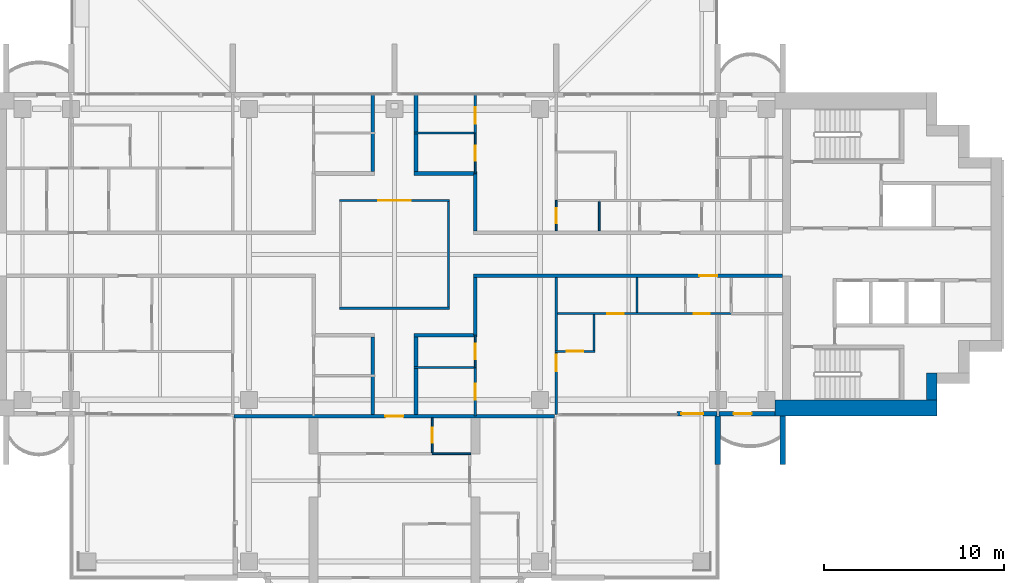
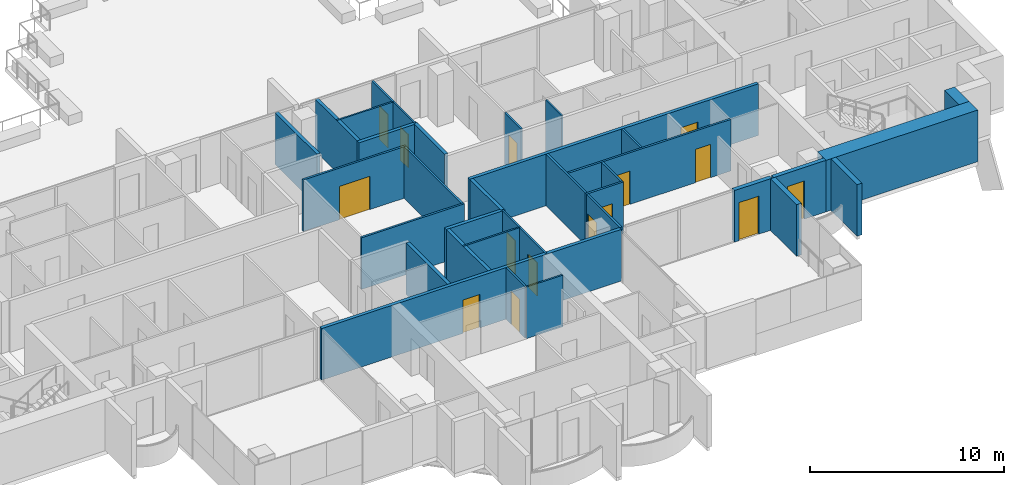
# One storey, part 11 of 18: 34 walls, 15 doors, 15 openings.
"""IFC4 building model written with IfcOpenShell, lengths in metres."""

import ifcopenshell
import ifcopenshell.guid

model = None  # the IFC model being written
_history = None  # IfcOwnerHistory: only IFC2X3 demands one
_inside = {}  # id of a spatial element -> (the spatial element, [elements in it])
_under = {}  # id of a project, library or spatial element -> (it, [spatial elements below it])
_declared = {}  # id of a project -> (the project, [libraries it declares])
_typed = {}  # id of a type object -> (the type object, [elements of that type])
_made_of = {}  # id of a material, layer set ... -> (it, [elements and type objects made of it])


def new_model(schema):
    """Start an empty IFC model of exactly this schema.

    Asked for "IFC4X3", IfcOpenShell would pick the latest addendum, in which some entities
    have other attributes; the version numbers below select the first issue.
    IFC2X3 requires an IfcOwnerHistory on every rooted entity: one is made here for all.
    """
    global model, _history
    if schema == "IFC4X3":
        model = ifcopenshell.file(schema_version=(4, 3, 0, 0))
    else:
        model = ifcopenshell.file(schema=schema)
    _inside.clear()
    _under.clear()
    _declared.clear()
    _typed.clear()
    _made_of.clear()
    _history = None
    if model.schema == "IFC2X3":
        org = make("IfcOrganization", Name="unknown")
        user = make(
            "IfcPersonAndOrganization",
            ThePerson=make("IfcPerson", FamilyName="unknown"),
            TheOrganization=org,
        )
        app = make(
            "IfcApplication",
            ApplicationDeveloper=org,
            Version="unknown",
            ApplicationFullName="unknown",
            ApplicationIdentifier="unknown",
        )
        _history = make(
            "IfcOwnerHistory",
            OwningUser=user,
            OwningApplication=app,
            ChangeAction="ADDED",
            CreationDate=0,
        )
    return model


def make(cls, **values):
    """One entity of the class cls with the attributes given. An attribute that is None is left unset."""
    return model.create_entity(
        cls, **{name: value for name, value in values.items() if value is not None}
    )


def rooted(cls, **values):
    """An entity with a GlobalId (a new one), such as an element, a storey or a relation."""
    return make(cls, GlobalId=ifcopenshell.guid.new(), OwnerHistory=_history, **values)


def si_unit(unit_type, name, prefix=None):
    """IfcSIUnit, for example si_unit("LENGTHUNIT", "METRE", prefix="MILLI")."""
    return make("IfcSIUnit", UnitType=unit_type, Prefix=prefix, Name=name)


def assignment(units):
    """IfcUnitAssignment: the units of a project."""
    return None if units is None else make("IfcUnitAssignment", Units=units)


def point(xyz):
    """IfcCartesianPoint."""
    return None if xyz is None else make("IfcCartesianPoint", Coordinates=xyz)


def direction(xyz):
    """IfcDirection."""
    return None if xyz is None else make("IfcDirection", DirectionRatios=xyz)


def frame(location, z_axis=None, x_axis=None):
    """IfcAxis2Placement3D, a coordinate frame: its origin and axes. An axis left out is left unset."""
    return make(
        "IfcAxis2Placement3D",
        Location=point(location),
        Axis=direction(z_axis),
        RefDirection=direction(x_axis),
    )


def frame_2d(location, x_axis=None):
    """IfcAxis2Placement2D, a coordinate frame in the plane: its origin and x axis."""
    return make(
        "IfcAxis2Placement2D", Location=point(location), RefDirection=direction(x_axis)
    )


def origin():
    """The frame at (0, 0, 0) with its axes left unset."""
    return frame((0.0, 0.0, 0.0))


def place(relative_to, where):
    """IfcLocalPlacement: puts the frame where relative to a parent placement (None: the world)."""
    return make(
        "IfcLocalPlacement", PlacementRelTo=relative_to, RelativePlacement=where
    )


def context(
    kind, dimensions, precision=None, world=None, true_north=None, identifier=None
):
    """IfcGeometricRepresentationContext, for example the 3D "Model" context."""
    return make(
        "IfcGeometricRepresentationContext",
        ContextIdentifier=identifier,
        ContextType=kind,
        CoordinateSpaceDimension=dimensions,
        Precision=precision,
        WorldCoordinateSystem=world,
        TrueNorth=true_north,
    )


def subcontext(parent, identifier, kind, view, scale=None):
    """IfcGeometricRepresentationSubContext, for example "Body" below "Model"."""
    return make(
        "IfcGeometricRepresentationSubContext",
        ContextIdentifier=identifier,
        ContextType=kind,
        ParentContext=parent,
        TargetScale=scale,
        TargetView=view,
    )


def project(units=None, contexts=None):
    """IfcProject with its units and contexts."""
    return rooted(
        "IfcProject",
        Name="project",
        RepresentationContexts=contexts,
        UnitsInContext=assignment(units),
    )


def spatial(cls, under=None, at=None, **own):
    """A site, building, storey or space (cls), placed at a placement, below another one or the project."""
    s = rooted(cls, ObjectPlacement=at, **own)
    if under is not None:
        _under.setdefault(under.id(), (under, []))[1].append(s)
    return s


def profile(cls, at=None, kind="AREA", **sizes):
    """A parametric profile (cls). Its sizes go by their IFC names, for example OverallWidth=200.0."""
    return make(cls, ProfileType=kind, Position=at, **sizes)


def rectangle(**sizes):
    """IfcRectangleProfileDef."""
    return profile("IfcRectangleProfileDef", **sizes)


def extrude(swept, where, along, depth):
    """IfcExtrudedAreaSolid: the profile swept, set in the frame where, extruded along a direction by depth."""
    return make(
        "IfcExtrudedAreaSolid",
        SweptArea=swept,
        Position=where,
        ExtrudedDirection=direction(along),
        Depth=depth,
    )


def shape(context_of_items, identifier, shape_type, items):
    """IfcShapeRepresentation: the items that make up one representation, for example the "Body"."""
    return make(
        "IfcShapeRepresentation",
        ContextOfItems=context_of_items,
        RepresentationIdentifier=identifier,
        RepresentationType=shape_type,
        Items=items,
    )


def material(Name=None, Category=None):
    """IfcMaterial."""
    return make("IfcMaterial", Name=Name, Category=Category)


def layer(
    of_material, thickness, ventilated=None, Name=None, Category=None, Priority=None
):
    """IfcMaterialLayer: one layer of a wall or slab, of a material (None: an air gap)."""
    return make(
        "IfcMaterialLayer",
        Material=of_material,
        LayerThickness=thickness,
        IsVentilated=ventilated,
        Name=Name,
        Category=Category,
        Priority=Priority,
    )


def layer_set(layers, Name=None):
    """IfcMaterialLayerSet."""
    return make("IfcMaterialLayerSet", MaterialLayers=layers, LayerSetName=Name)


def made_of(thing, what):
    """Note that an element or type object is made of a material, layer set ...; save() writes the relation."""
    if what is not None:
        _made_of.setdefault(what.id(), (what, []))[1].append(thing)
    return thing


def type_object(cls, material=None, **own):
    """A type object (cls), such as IfcWallType, which elements share."""
    return made_of(rooted(cls, **own), material)


def element(
    cls,
    number,
    at=None,
    inside=None,
    cuts=None,
    type_object=None,
    material=None,
    context=None,
    identifier="Body",
    shape_type=None,
    held_by="IfcProductDefinitionShape",
    body=None,
    shapes=None,
    **own,
):
    """One element of the class cls, such as IfcWall. Its Tag is "e" and its number.

    at: its placement. inside: the storey or other place that contains it. cuts: it is an
    opening in that element (IfcRelVoidsElement). A single representation is given by context,
    identifier, shape_type and body (its items); several are given by shapes. held_by: the class
    of the entity that holds the representations. save() writes the other relations.
    """
    e = rooted(cls, Tag="e%d" % number, ObjectPlacement=at, **own)
    if body is not None:
        shapes = [shape(context, identifier, shape_type, body)]
    if shapes is not None:
        e.Representation = make(held_by, Representations=shapes)
    if inside is not None:
        _inside.setdefault(inside.id(), (inside, []))[1].append(e)
    if cuts is not None:
        rooted(
            "IfcRelVoidsElement", RelatingBuildingElement=cuts, RelatedOpeningElement=e
        )
    if type_object is not None:
        _typed.setdefault(type_object.id(), (type_object, []))[1].append(e)
    return made_of(e, material)


def fill(opening, filler):
    """IfcRelFillsElement: the door or window that sits in an opening."""
    return rooted(
        "IfcRelFillsElement",
        RelatingOpeningElement=opening,
        RelatedBuildingElement=filler,
    )


def aggregate(whole, parts):
    """IfcRelAggregates: a whole, such as a stair, and the parts it consists of."""
    return rooted("IfcRelAggregates", RelatingObject=whole, RelatedObjects=parts)


def save(model, path):
    """Write the relations noted so far, then the file.

    IfcRelAggregates (storeys below a building ...), IfcRelContainedInSpatialStructure (elements
    in a storey), IfcRelDefinesByType, IfcRelAssociatesMaterial and IfcRelDeclares: one each for
    every whole, place, type object, material and project.
    """
    for whole, parts in _under.values():
        aggregate(whole, parts)
    for where, things in _inside.values():
        rooted(
            "IfcRelContainedInSpatialStructure",
            RelatedElements=things,
            RelatingStructure=where,
        )
    for kind, things in _typed.values():
        rooted("IfcRelDefinesByType", RelatedObjects=things, RelatingType=kind)
    for what, things in _made_of.values():
        rooted("IfcRelAssociatesMaterial", RelatedObjects=things, RelatingMaterial=what)
    for by, libraries in _declared.values():
        rooted("IfcRelDeclares", RelatingContext=by, RelatedDefinitions=libraries)
    model.write(path)


model = new_model("IFC4")

# Units and contexts
model_context = context("Model", 3, precision=1e-05, world=origin(), true_north=direction((0.0, 1.0)))
body_context = subcontext(model_context, "Body", "Model", "MODEL_VIEW")
ifc_project = project(units=[si_unit("LENGTHUNIT", "METRE"), si_unit("AREAUNIT", "SQUARE_METRE"), si_unit("VOLUMEUNIT", "CUBIC_METRE"), si_unit("PLANEANGLEUNIT", "RADIAN"), si_unit("MASSUNIT", "GRAM", prefix="KILO")], contexts=[model_context])

# Site, building, storey
site_placement = place(None, origin())
site = spatial("IfcSite", under=ifc_project, at=site_placement, CompositionType="ELEMENT")
building_placement = place(site_placement, origin())
building = spatial("IfcBuilding", under=site, at=building_placement, Name="Perihelion Cross Residences", CompositionType="ELEMENT")
storey_placement = place(building_placement, frame((0.0, 0.0, 166.60009765625)))
storey = spatial("IfcBuildingStorey", under=building, at=storey_placement, Name="L40", CompositionType="ELEMENT", Elevation=166.60009765625)

# Walls
ifc_material_1 = material(Name="Plasterboard partition")
ifc_layer_1 = layer(ifc_material_1, 0.199951171875)
ifc_layer_set_1 = layer_set([ifc_layer_1], Name="Apartment separation wall 200")
wall_type_1 = type_object("IfcWallType", Name="Apartment separation wall 200", PredefinedType="PARTITIONING", material=ifc_layer_set_1)
wall_1_placement = place(storey_placement, frame((4.5, 4.5, 0.0), z_axis=(0.0, 0.0, 1.0), x_axis=(0.0, -1.0, 0.0)))
element("IfcWall", 1, at=wall_1_placement, inside=storey, type_object=wall_type_1, Name="Partition L40 W006", PredefinedType="PARTITIONING", context=body_context, shape_type="SweptSolid", body=[
    extrude(rectangle(XDim=3.199951171875, YDim=0.199951171875, at=frame_2d((1.60009765625, 0.0))), origin(), (0.0, 0.0, 1.0), 3.25),
])
wall_2_placement = place(storey_placement, frame((1.199951171875, 8.919921875, 0.0), z_axis=(0.0, 0.0, 1.0), x_axis=(0.0, -1.0, 0.0)))
element("IfcWall", 2, at=wall_2_placement, inside=storey, type_object=wall_type_1, Name="Partition L40 W007", PredefinedType="PARTITIONING", context=body_context, shape_type="SweptSolid", body=[
    extrude(rectangle(XDim=4.31982421875, YDim=0.199951171875, at=frame_2d((2.159912109375, 0.0))), origin(), (0.0, 0.0, 1.0), 3.25),
])
wall_3_placement = place(storey_placement, frame((1.10009765625, 4.5, 0.0), z_axis=(0.0, 0.0, 1.0), x_axis=(1.0, 0.0, 0.0)))
element("IfcWall", 3, at=wall_3_placement, inside=storey, type_object=wall_type_1, Name="Partition L40 W008", PredefinedType="PARTITIONING", context=body_context, shape_type="SweptSolid", body=[
    extrude(rectangle(XDim=3.5, YDim=0.199951171875, at=frame_2d((1.75, 0.0))), origin(), (0.0, 0.0, 1.0), 3.25),
])

# Wall, opening, door
wall_4_placement = place(storey_placement, frame((21.60009765625, -1.199951171875, 0.0), z_axis=(0.0, 0.0, 1.0), x_axis=(-1.0, 0.0, 0.0)))
wall_4 = element("IfcWall", 4, at=wall_4_placement, inside=storey, type_object=wall_type_1, Name="Partition L40 W009", PredefinedType="PARTITIONING", context=body_context, shape_type="SweptSolid", body=[
    extrude(rectangle(XDim=17.2001953125, YDim=0.199951171875, at=frame_2d((8.60009765625, 0.0))), origin(), (0.0, 0.0, 1.0), 3.25),
])
opening_1_placement = place(wall_4_placement, frame((3.625, 0.0, 0.0)))
opening_1 = element("IfcOpeningElement", 5, at=opening_1_placement, cuts=wall_4, Name="Opening L40.A46", PredefinedType="OPENING", context=body_context, shape_type="SweptSolid", body=[
    extrude(rectangle(XDim=1.0, YDim=2.10009765625, at=frame_2d((0.5, 1.050048828125))), frame((0.0, 0.10986328125, 0.0), z_axis=(0.0, -1.0, 0.0), x_axis=(1.0, 0.0, 0.0)), (0.0, 0.0, 1.0), 0.219970703125),
])
ifc_material_2 = material(Name="Timber door leaf", Category="wood")
door_type_1 = type_object("IfcDoorType", Name="Flat entrance door 1000 x 2100", OperationType="SINGLE_SWING_LEFT", PredefinedType="DOOR", material=ifc_material_2)
door_1_placement = place(opening_1_placement, origin())
door_1 = element("IfcDoor", 6, at=door_1_placement, inside=storey, type_object=door_type_1, Name="Door L40.A46", OperationType="SINGLE_SWING_RIGHT", OverallHeight=2.10009765625, OverallWidth=1.0, PredefinedType="DOOR", context=body_context, shape_type="SweptSolid", body=[
    extrude(rectangle(XDim=1.0, YDim=2.10009765625, at=frame_2d((0.5, 1.050048828125))), frame((0.0, 0.02490234375, 0.0), z_axis=(0.0, -1.0, 0.0), x_axis=(1.0, 0.0, 0.0)), (0.0, 0.0, 1.0), 0.050048828125),
])
fill(opening_1, door_1)

# Walls
wall_5_placement = place(storey_placement, frame((4.5, -1.300048828125, 0.0), z_axis=(0.0, 0.0, 1.0), x_axis=(0.0, -1.0, 0.0)))
element("IfcWall", 7, at=wall_5_placement, inside=storey, type_object=wall_type_1, Name="Partition L40 W010", PredefinedType="PARTITIONING", context=body_context, shape_type="SweptSolid", body=[
    extrude(rectangle(XDim=3.199951171875, YDim=0.199951171875, at=frame_2d((1.60009765625, 0.0))), origin(), (0.0, 0.0, 1.0), 3.25),
])
wall_6_placement = place(storey_placement, frame((4.60009765625, -4.5, 0.0), z_axis=(0.0, 0.0, 1.0), x_axis=(-1.0, 0.0, 0.0)))
element("IfcWall", 8, at=wall_6_placement, inside=storey, type_object=wall_type_1, Name="Partition L40 W011", PredefinedType="PARTITIONING", context=body_context, shape_type="SweptSolid", body=[
    extrude(rectangle(XDim=3.5, YDim=0.199951171875, at=frame_2d((1.75, 0.0))), origin(), (0.0, 0.0, 1.0), 3.25),
])
wall_7_placement = place(storey_placement, frame((1.199951171875, -4.60009765625, 0.0), z_axis=(0.0, 0.0, 1.0), x_axis=(0.0, -1.0, 0.0)))
element("IfcWall", 9, at=wall_7_placement, inside=storey, type_object=wall_type_1, Name="Partition L40 W012", PredefinedType="PARTITIONING", context=body_context, shape_type="SweptSolid", body=[
    extrude(rectangle(XDim=4.2998046875, YDim=0.199951171875, at=frame_2d((2.14990234375, 0.0))), origin(), (0.0, 0.0, 1.0), 3.25),
])
wall_8_placement = place(storey_placement, frame((-1.199951171875, 4.60009765625, 0.0), z_axis=(0.0, 0.0, 1.0), x_axis=(0.0, 1.0, 0.0)))
element("IfcWall", 10, at=wall_8_placement, inside=storey, type_object=wall_type_1, Name="Partition L40 W016", PredefinedType="PARTITIONING", context=body_context, shape_type="SweptSolid", body=[
    extrude(rectangle(XDim=4.31982421875, YDim=0.199951171875, at=frame_2d((2.159912109375, 0.0))), origin(), (0.0, 0.0, 1.0), 3.25),
])
wall_9_placement = place(storey_placement, frame((-1.199951171875, -8.89990234375, 0.0), z_axis=(0.0, 0.0, 1.0), x_axis=(0.0, 1.0, 0.0)))
element("IfcWall", 11, at=wall_9_placement, inside=storey, type_object=wall_type_1, Name="Partition L40 W019", PredefinedType="PARTITIONING", context=body_context, shape_type="SweptSolid", body=[
    extrude(rectangle(XDim=4.2998046875, YDim=0.199951171875, at=frame_2d((2.14990234375, 0.0))), origin(), (0.0, 0.0, 1.0), 3.25),
])

# Wall, opening, door
wall_10_placement = place(storey_placement, frame((8.919921875, -9.0, 0.0), z_axis=(0.0, 0.0, 1.0), x_axis=(-1.0, 0.0, 0.0)))
wall_10 = element("IfcWall", 12, at=wall_10_placement, inside=storey, type_object=wall_type_1, Name="Partition L40 W021", PredefinedType="PARTITIONING", context=body_context, shape_type="SweptSolid", body=[
    extrude(rectangle(XDim=17.83984375, YDim=0.199951171875, at=frame_2d((8.919921875, 0.0))), origin(), (0.0, 0.0, 1.0), 3.25),
])
opening_2_placement = place(wall_10_placement, frame((8.419921875, 0.0, 0.0)))
opening_2 = element("IfcOpeningElement", 13, at=opening_2_placement, cuts=wall_10, Name="Opening L40.A39", PredefinedType="OPENING", context=body_context, shape_type="SweptSolid", body=[
    extrude(rectangle(XDim=1.0, YDim=2.10009765625, at=frame_2d((0.5, 1.050048828125))), frame((0.0, 0.10986328125, 0.0), z_axis=(0.0, -1.0, 0.0), x_axis=(1.0, 0.0, 0.0)), (0.0, 0.0, 1.0), 0.219970703125),
])
door_2_placement = place(opening_2_placement, origin())
door_2 = element("IfcDoor", 14, at=door_2_placement, inside=storey, type_object=door_type_1, Name="Door L40.A39", OperationType="SINGLE_SWING_LEFT", OverallHeight=2.10009765625, OverallWidth=1.0, PredefinedType="DOOR", context=body_context, shape_type="SweptSolid", body=[
    extrude(rectangle(XDim=1.0, YDim=2.10009765625, at=frame_2d((0.5, 1.050048828125))), frame((0.0, 0.02490234375, 0.0), z_axis=(0.0, -1.0, 0.0), x_axis=(1.0, 0.0, 0.0)), (0.0, 0.0, 1.0), 0.050048828125),
])
fill(opening_2, door_2)

ifc_material_3 = material(Name="Concrete C30/37, bronze-clad", Category="concrete")
ifc_layer_2 = layer(ifc_material_3, 0.25)
ifc_layer_set_2 = layer_set([ifc_layer_2], Name="Bronze-clad pier wall 250")
wall_type_2 = type_object("IfcWallType", Name="Bronze-clad pier wall 250", PredefinedType="SOLIDWALL", material=ifc_layer_set_2)
wall_11_placement = place(storey_placement, frame((15.72509765625, -8.875, 0.0), z_axis=(0.0, 0.0, 1.0), x_axis=(1.0, 0.0, 0.0)))
wall_11 = element("IfcWall", 15, at=wall_11_placement, inside=storey, type_object=wall_type_2, Name="Wall FW1 L40 east side south bay 1 pier", PredefinedType="SOLIDWALL", context=body_context, shape_type="SweptSolid", body=[
    extrude(rectangle(XDim=2.21484375, YDim=0.25, at=frame_2d((1.107421875, 0.0))), origin(), (0.0, 0.0, 1.0), 3.25),
])
opening_3_placement = place(wall_11_placement, frame((0.25, 0.0, 0.0)))
opening_3 = element("IfcOpeningElement", 16, at=opening_3_placement, cuts=wall_11, Name="Opening L40.E13", PredefinedType="OPENING", context=body_context, shape_type="SweptSolid", body=[
    extrude(rectangle(XDim=1.199951171875, YDim=2.39990234375, at=frame_2d((0.60009765625, 1.199951171875))), frame((0.0, 0.135009765625, 0.0), z_axis=(0.0, -1.0, 0.0), x_axis=(1.0, 0.0, 0.0)), (0.0, 0.0, 1.0), 0.27001953125),
])
ifc_material_4 = material(Name="Bronze anodised aluminium, glazed", Category="aluminium")
door_type_2 = type_object("IfcDoorType", Name="Balcony door 1200 x 2400", OperationType="NOTDEFINED", PredefinedType="DOOR", material=ifc_material_4)
door_3_placement = place(opening_3_placement, origin())
door_3 = element("IfcDoor", 17, at=door_3_placement, inside=storey, type_object=door_type_2, Name="Door L40.E13 east side south bay 1", OperationType="SINGLE_SWING_LEFT", OverallHeight=2.39990234375, OverallWidth=1.199951171875, PredefinedType="DOOR", context=body_context, shape_type="SweptSolid", body=[
    extrude(rectangle(XDim=1.199951171875, YDim=2.39990234375, at=frame_2d((0.60009765625, 1.199951171875))), frame((0.0, 0.02490234375, 0.0), z_axis=(0.0, -1.0, 0.0), x_axis=(1.0, 0.0, 0.0)), (0.0, 0.0, 1.0), 0.050048828125),
])
fill(opening_3, door_3)

wall_12_placement = place(storey_placement, frame((18.06005859375, -8.875, 0.0), z_axis=(0.0, 0.0, 1.0), x_axis=(1.0, 0.0, 0.0)))
wall_12 = element("IfcWall", 18, at=wall_12_placement, inside=storey, type_object=wall_type_2, Name="Wall FW1 L40 east side south bay 2 pier", PredefinedType="SOLIDWALL", context=body_context, shape_type="SweptSolid", body=[
    extrude(rectangle(XDim=3.114990234375, YDim=0.25, at=frame_2d((1.5576171875, 0.0))), origin(), (0.0, 0.0, 1.0), 3.25),
])
opening_4_placement = place(wall_12_placement, frame((0.81494140625, 0.0, 0.0)))
opening_4 = element("IfcOpeningElement", 19, at=opening_4_placement, cuts=wall_12, Name="Opening L40.E14", PredefinedType="OPENING", context=body_context, shape_type="SweptSolid", body=[
    extrude(rectangle(XDim=1.0, YDim=2.39990234375, at=frame_2d((0.5, 1.199951171875))), frame((0.0, 0.135009765625, 0.0), z_axis=(0.0, -1.0, 0.0), x_axis=(1.0, 0.0, 0.0)), (0.0, 0.0, 1.0), 0.27001953125),
])
ifc_material_5 = material(Name="Bronze anodised aluminium, glazed", Category="aluminium")
door_type_3 = type_object("IfcDoorType", Name="Balcony door 1000 x 2400", OperationType="NOTDEFINED", PredefinedType="DOOR", material=ifc_material_5)
door_4_placement = place(opening_4_placement, origin())
door_4 = element("IfcDoor", 20, at=door_4_placement, inside=storey, type_object=door_type_3, Name="Door L40.E14 east side south bay 2", OperationType="SINGLE_SWING_RIGHT", OverallHeight=2.39990234375, OverallWidth=1.0, PredefinedType="DOOR", context=body_context, shape_type="SweptSolid", body=[
    extrude(rectangle(XDim=1.0, YDim=2.39990234375, at=frame_2d((0.5, 1.199951171875))), frame((0.0, 0.02490234375, 0.0), z_axis=(0.0, -1.0, 0.0), x_axis=(1.0, 0.0, 0.0)), (0.0, 0.0, 1.0), 0.050048828125),
])
fill(opening_4, door_4)

# Walls
ifc_material_6 = material(Name="Concrete C60/75", Category="concrete")
ifc_layer_3 = layer(ifc_material_6, 0.60009765625)
ifc_layer_set_3 = layer_set([ifc_layer_3], Name="Core wall, outer 600")
wall_type_3 = type_object("IfcWallType", Name="Core wall, outer 600", PredefinedType="SHEAR", material=ifc_layer_set_3)
wall_13_placement = place(storey_placement, frame((29.89990234375, -8.10009765625, 0.0), z_axis=(0.0, 0.0, 1.0), x_axis=(0.0, 1.0, 0.0)))
element("IfcWall", 21, at=wall_13_placement, inside=storey, type_object=wall_type_3, Name="East core core wall, outer", PredefinedType="SHEAR", context=body_context, shape_type="SweptSolid", body=[
    extrude(rectangle(XDim=1.5, YDim=0.60009765625, at=frame_2d((0.75, 0.0))), origin(), (0.0, 0.0, 1.0), 3.25),
])
ifc_material_7 = material(Name="Concrete C60/75", Category="concrete")
ifc_layer_4 = layer(ifc_material_7, 0.89990234375)
ifc_layer_set_4 = layer_set([ifc_layer_4], Name="Core wall, outer 900")
wall_type_4 = type_object("IfcWallType", Name="Core wall, outer 900", PredefinedType="SHEAR", material=ifc_layer_set_4)
wall_14_placement = place(storey_placement, frame((21.175048828125, -8.550048828125, 0.0), z_axis=(0.0, 0.0, 1.0), x_axis=(1.0, 0.0, 0.0)))
element("IfcWall", 22, at=wall_14_placement, inside=storey, type_object=wall_type_4, Name="East core core wall, outer", PredefinedType="SHEAR", context=body_context, shape_type="SweptSolid", body=[
    extrude(rectangle(XDim=9.02490234375, YDim=0.89990234375, at=frame_2d((4.512451171875, 0.0))), origin(), (0.0, 0.0, 1.0), 3.25),
])
ifc_material_8 = material(Name="Plasterboard partition")
ifc_layer_5 = layer(ifc_material_8, 0.1201171875)
ifc_layer_set_5 = layer_set([ifc_layer_5], Name="Partition wall 120")
wall_type_5 = type_object("IfcWallType", Name="Partition wall 120", PredefinedType="PARTITIONING", material=ifc_layer_set_5)
wall_15_placement = place(storey_placement, frame((-3.06005859375, -3.0, 0.0), z_axis=(0.0, 0.0, 1.0), x_axis=(1.0, 0.0, 0.0)))
element("IfcWall", 23, at=wall_15_placement, inside=storey, type_object=wall_type_5, Name="Partition L40 W001", PredefinedType="PARTITIONING", context=body_context, shape_type="SweptSolid", body=[
    extrude(rectangle(XDim=6.1201171875, YDim=0.1201171875, at=frame_2d((3.06005859375, 0.0))), origin(), (0.0, 0.0, 1.0), 3.25),
])
wall_16_placement = place(storey_placement, frame((3.0, -2.93994140625, 0.0), z_axis=(0.0, 0.0, 1.0), x_axis=(0.0, 1.0, 0.0)))
element("IfcWall", 24, at=wall_16_placement, inside=storey, type_object=wall_type_5, Name="Partition L40 W002", PredefinedType="PARTITIONING", context=body_context, shape_type="SweptSolid", body=[
    extrude(rectangle(XDim=5.8798828125, YDim=0.1201171875, at=frame_2d((2.93994140625, 0.0))), origin(), (0.0, 0.0, 1.0), 3.25),
])

# Wall, opening, door
wall_17_placement = place(storey_placement, frame((3.06005859375, 3.0, 0.0), z_axis=(0.0, 0.0, 1.0), x_axis=(-1.0, 0.0, 0.0)))
wall_17 = element("IfcWall", 25, at=wall_17_placement, inside=storey, type_object=wall_type_5, Name="Partition L40 W003", PredefinedType="PARTITIONING", context=body_context, shape_type="SweptSolid", body=[
    extrude(rectangle(XDim=6.1201171875, YDim=0.1201171875, at=frame_2d((3.06005859375, 0.0))), origin(), (0.0, 0.0, 1.0), 3.25),
])
opening_5_placement = place(wall_17_placement, frame((2.159912109375, 0.0, 0.0)))
opening_5 = element("IfcOpeningElement", 26, at=opening_5_placement, cuts=wall_17, Name="Opening L40.A01", PredefinedType="OPENING", context=body_context, shape_type="SweptSolid", body=[
    extrude(rectangle(XDim=1.800048828125, YDim=2.10009765625, at=frame_2d((0.89990234375, 1.050048828125))), frame((0.0, 0.070068359375, 0.0), z_axis=(0.0, -1.0, 0.0), x_axis=(1.0, 0.0, 0.0)), (0.0, 0.0, 1.0), 0.14013671875),
])
ifc_material_9 = material(Name="Glazed timber door leaf", Category="wood")
door_type_4 = type_object("IfcDoorType", Name="Interior double leaf door 1800 x 2100", OperationType="DOUBLE_DOOR_SINGLE_SWING", PredefinedType="DOOR", material=ifc_material_9)
door_5_placement = place(opening_5_placement, origin())
door_5 = element("IfcDoor", 27, at=door_5_placement, inside=storey, type_object=door_type_4, Name="Door L40.A01", OperationType="SINGLE_SWING_LEFT", OverallHeight=2.10009765625, OverallWidth=1.800048828125, PredefinedType="DOOR", context=body_context, shape_type="SweptSolid", body=[
    extrude(rectangle(XDim=1.800048828125, YDim=2.10009765625, at=frame_2d((0.89990234375, 1.050048828125))), frame((0.0, 0.02490234375, 0.0), z_axis=(0.0, -1.0, 0.0), x_axis=(1.0, 0.0, 0.0)), (0.0, 0.0, 1.0), 0.050048828125),
])
fill(opening_5, door_5)

wall_18_placement = place(storey_placement, frame((4.5, 6.75, 0.0), z_axis=(0.0, 0.0, 1.0), x_axis=(0.0, 1.0, 0.0)))
wall_18 = element("IfcWall", 28, at=wall_18_placement, inside=storey, type_object=wall_type_5, Name="Partition L40 W037", PredefinedType="PARTITIONING", context=body_context, shape_type="SweptSolid", body=[
    extrude(rectangle(XDim=2.169921875, YDim=0.1201171875, at=frame_2d((1.0849609375, 0.0))), origin(), (0.0, 0.0, 1.0), 3.25),
])
opening_6_placement = place(wall_18_placement, frame((0.52490234375, 0.0, 0.0)))
opening_6 = element("IfcOpeningElement", 29, at=opening_6_placement, cuts=wall_18, Name="Opening L40.A06", PredefinedType="OPENING", context=body_context, shape_type="SweptSolid", body=[
    extrude(rectangle(XDim=0.89990234375, YDim=2.10009765625, at=frame_2d((0.449951171875, 1.050048828125))), frame((0.0, 0.070068359375, 0.0), z_axis=(0.0, -1.0, 0.0), x_axis=(1.0, 0.0, 0.0)), (0.0, 0.0, 1.0), 0.14013671875),
])
ifc_material_10 = material(Name="Timber door leaf", Category="wood")
door_type_5 = type_object("IfcDoorType", Name="Interior room door 900 x 2100", OperationType="SINGLE_SWING_LEFT", PredefinedType="DOOR", material=ifc_material_10)
door_6_placement = place(opening_6_placement, origin())
door_6 = element("IfcDoor", 30, at=door_6_placement, inside=storey, type_object=door_type_5, Name="Door L40.A06", OperationType="SINGLE_SWING_RIGHT", OverallHeight=2.10009765625, OverallWidth=0.89990234375, PredefinedType="DOOR", context=body_context, shape_type="SweptSolid", body=[
    extrude(rectangle(XDim=0.89990234375, YDim=2.10009765625, at=frame_2d((0.449951171875, 1.050048828125))), frame((0.0, 0.02490234375, 0.0), z_axis=(0.0, -1.0, 0.0), x_axis=(1.0, 0.0, 0.0)), (0.0, 0.0, 1.0), 0.050048828125),
])
fill(opening_6, door_6)

# Wall
wall_19_placement = place(storey_placement, frame((13.5, -1.300048828125, 0.0), z_axis=(0.0, 0.0, 1.0), x_axis=(0.0, -1.0, 0.0)))
element("IfcWall", 31, at=wall_19_placement, inside=storey, type_object=wall_type_5, Name="Partition L40 W039", PredefinedType="PARTITIONING", context=body_context, shape_type="SweptSolid", body=[
    extrude(rectangle(XDim=1.93994140625, YDim=0.1201171875, at=frame_2d((0.969970703125, 0.0))), origin(), (0.0, 0.0, 1.0), 3.25),
])

# Wall, openings, doors
wall_20_placement = place(storey_placement, frame((18.75, -3.300048828125, 0.0), z_axis=(0.0, 0.0, 1.0), x_axis=(-1.0, 0.0, 0.0)))
wall_20 = element("IfcWall", 32, at=wall_20_placement, inside=storey, type_object=wall_type_5, Name="Partition L40 W040", PredefinedType="PARTITIONING", context=body_context, shape_type="SweptSolid", body=[
    extrude(rectangle(XDim=9.81005859375, YDim=0.1201171875, at=frame_2d((4.905029296875, 0.0))), origin(), (0.0, 0.0, 1.0), 3.25),
])
opening_7_placement = place(wall_20_placement, frame((6.0, 0.0, 0.0)))
opening_7 = element("IfcOpeningElement", 33, at=opening_7_placement, cuts=wall_20, Name="Opening L40.A16", PredefinedType="OPENING", context=body_context, shape_type="SweptSolid", body=[
    extrude(rectangle(XDim=0.89990234375, YDim=2.10009765625, at=frame_2d((0.449951171875, 1.050048828125))), frame((0.0, 0.070068359375, 0.0), z_axis=(0.0, -1.0, 0.0), x_axis=(1.0, 0.0, 0.0)), (0.0, 0.0, 1.0), 0.14013671875),
])
opening_8_placement = place(wall_20_placement, frame((1.199951171875, 0.0, 0.0)))
opening_8 = element("IfcOpeningElement", 34, at=opening_8_placement, cuts=wall_20, Name="Opening L40.A21", PredefinedType="OPENING", context=body_context, shape_type="SweptSolid", body=[
    extrude(rectangle(XDim=0.89990234375, YDim=2.10009765625, at=frame_2d((0.449951171875, 1.050048828125))), frame((0.0, 0.070068359375, 0.0), z_axis=(0.0, -1.0, 0.0), x_axis=(1.0, 0.0, 0.0)), (0.0, 0.0, 1.0), 0.14013671875),
])
door_7_placement = place(opening_7_placement, origin())
door_7 = element("IfcDoor", 35, at=door_7_placement, inside=storey, type_object=door_type_5, Name="Door L40.A16", OperationType="SINGLE_SWING_RIGHT", OverallHeight=2.10009765625, OverallWidth=0.89990234375, PredefinedType="DOOR", context=body_context, shape_type="SweptSolid", body=[
    extrude(rectangle(XDim=0.89990234375, YDim=2.10009765625, at=frame_2d((0.449951171875, 1.050048828125))), frame((0.0, 0.02490234375, 0.0), z_axis=(0.0, -1.0, 0.0), x_axis=(1.0, 0.0, 0.0)), (0.0, 0.0, 1.0), 0.050048828125),
])
fill(opening_7, door_7)
door_8_placement = place(opening_8_placement, origin())
door_8 = element("IfcDoor", 36, at=door_8_placement, inside=storey, type_object=door_type_5, Name="Door L40.A21", OperationType="SINGLE_SWING_LEFT", OverallHeight=2.10009765625, OverallWidth=0.89990234375, PredefinedType="DOOR", context=body_context, shape_type="SweptSolid", body=[
    extrude(rectangle(XDim=0.89990234375, YDim=2.10009765625, at=frame_2d((0.449951171875, 1.050048828125))), frame((0.0, 0.02490234375, 0.0), z_axis=(0.0, -1.0, 0.0), x_axis=(1.0, 0.0, 0.0)), (0.0, 0.0, 1.0), 0.050048828125),
])
fill(opening_8, door_8)

# Wall, opening, door
wall_21_placement = place(storey_placement, frame((9.0, -8.919921875, 0.0), z_axis=(0.0, 0.0, 1.0), x_axis=(0.0, 1.0, 0.0)))
wall_21 = element("IfcWall", 37, at=wall_21_placement, inside=storey, type_object=wall_type_5, Name="Partition L40 W041", PredefinedType="PARTITIONING", context=body_context, shape_type="SweptSolid", body=[
    extrude(rectangle(XDim=7.619873046875, YDim=0.1201171875, at=frame_2d((3.81005859375, 0.0))), origin(), (0.0, 0.0, 1.0), 3.25),
])
opening_9_placement = place(wall_21_placement, frame((2.419921875, 0.0, 0.0)))
opening_9 = element("IfcOpeningElement", 38, at=opening_9_placement, cuts=wall_21, Name="Opening L40.A17", PredefinedType="OPENING", context=body_context, shape_type="SweptSolid", body=[
    extrude(rectangle(XDim=0.89990234375, YDim=2.10009765625, at=frame_2d((0.449951171875, 1.050048828125))), frame((0.0, 0.070068359375, 0.0), z_axis=(0.0, -1.0, 0.0), x_axis=(1.0, 0.0, 0.0)), (0.0, 0.0, 1.0), 0.14013671875),
])
door_9_placement = place(opening_9_placement, origin())
door_9 = element("IfcDoor", 39, at=door_9_placement, inside=storey, type_object=door_type_5, Name="Door L40.A17", OperationType="SINGLE_SWING_LEFT", OverallHeight=2.10009765625, OverallWidth=0.89990234375, PredefinedType="DOOR", context=body_context, shape_type="SweptSolid", body=[
    extrude(rectangle(XDim=0.89990234375, YDim=2.10009765625, at=frame_2d((0.449951171875, 1.050048828125))), frame((0.0, 0.02490234375, 0.0), z_axis=(0.0, -1.0, 0.0), x_axis=(1.0, 0.0, 0.0)), (0.0, 0.0, 1.0), 0.050048828125),
])
fill(opening_9, door_9)

wall_22_placement = place(storey_placement, frame((8.93994140625, -5.39990234375, 0.0), z_axis=(0.0, 0.0, 1.0), x_axis=(1.0, 0.0, 0.0)))
wall_22 = element("IfcWall", 40, at=wall_22_placement, inside=storey, type_object=wall_type_5, Name="Partition L40 W045", PredefinedType="PARTITIONING", context=body_context, shape_type="SweptSolid", body=[
    extrude(rectangle(XDim=2.219970703125, YDim=0.1201171875, at=frame_2d((1.10986328125, 0.0))), origin(), (0.0, 0.0, 1.0), 3.25),
])
opening_10_placement = place(wall_22_placement, frame((0.659912109375, 0.0, 0.0)))
opening_10 = element("IfcOpeningElement", 41, at=opening_10_placement, cuts=wall_22, Name="Opening L40.A19", PredefinedType="OPENING", context=body_context, shape_type="SweptSolid", body=[
    extrude(rectangle(XDim=0.89990234375, YDim=2.10009765625, at=frame_2d((0.449951171875, 1.050048828125))), frame((0.0, 0.070068359375, 0.0), z_axis=(0.0, -1.0, 0.0), x_axis=(1.0, 0.0, 0.0)), (0.0, 0.0, 1.0), 0.14013671875),
])
door_10_placement = place(opening_10_placement, origin())
door_10 = element("IfcDoor", 42, at=door_10_placement, inside=storey, type_object=door_type_5, Name="Door L40.A19", OperationType="SINGLE_SWING_RIGHT", OverallHeight=2.10009765625, OverallWidth=0.89990234375, PredefinedType="DOOR", context=body_context, shape_type="SweptSolid", body=[
    extrude(rectangle(XDim=0.89990234375, YDim=2.10009765625, at=frame_2d((0.449951171875, 1.050048828125))), frame((0.0, 0.02490234375, 0.0), z_axis=(0.0, -1.0, 0.0), x_axis=(1.0, 0.0, 0.0)), (0.0, 0.0, 1.0), 0.050048828125),
])
fill(opening_10, door_10)

# Wall
wall_23_placement = place(storey_placement, frame((11.10009765625, -5.340087890625, 0.0), z_axis=(0.0, 0.0, 1.0), x_axis=(0.0, 1.0, 0.0)))
element("IfcWall", 43, at=wall_23_placement, inside=storey, type_object=wall_type_5, Name="Partition L40 W046", PredefinedType="PARTITIONING", context=body_context, shape_type="SweptSolid", body=[
    extrude(rectangle(XDim=1.97998046875, YDim=0.1201171875, at=frame_2d((0.989990234375, 0.0))), origin(), (0.0, 0.0, 1.0), 3.25),
])

# Wall, opening, door
wall_24_placement = place(storey_placement, frame((4.5, -9.0, 0.0), z_axis=(0.0, 0.0, 1.0), x_axis=(0.0, 1.0, 0.0)))
wall_24 = element("IfcWall", 44, at=wall_24_placement, inside=storey, type_object=wall_type_5, Name="Partition L40 W049", PredefinedType="PARTITIONING", context=body_context, shape_type="SweptSolid", body=[
    extrude(rectangle(XDim=2.699951171875, YDim=0.1201171875, at=frame_2d((1.35009765625, 0.0))), origin(), (0.0, 0.0, 1.0), 3.25),
])
opening_11_placement = place(wall_24_placement, frame((0.89990234375, 0.0, 0.0)))
opening_11 = element("IfcOpeningElement", 45, at=opening_11_placement, cuts=wall_24, Name="Opening L40.A18", PredefinedType="OPENING", context=body_context, shape_type="SweptSolid", body=[
    extrude(rectangle(XDim=0.89990234375, YDim=2.10009765625, at=frame_2d((0.449951171875, 1.050048828125))), frame((0.0, 0.070068359375, 0.0), z_axis=(0.0, -1.0, 0.0), x_axis=(1.0, 0.0, 0.0)), (0.0, 0.0, 1.0), 0.14013671875),
])
door_11_placement = place(opening_11_placement, origin())
door_11 = element("IfcDoor", 46, at=door_11_placement, inside=storey, type_object=door_type_5, Name="Door L40.A18", OperationType="SINGLE_SWING_LEFT", OverallHeight=2.10009765625, OverallWidth=0.89990234375, PredefinedType="DOOR", context=body_context, shape_type="SweptSolid", body=[
    extrude(rectangle(XDim=0.89990234375, YDim=2.10009765625, at=frame_2d((0.449951171875, 1.050048828125))), frame((0.0, 0.02490234375, 0.0), z_axis=(0.0, -1.0, 0.0), x_axis=(1.0, 0.0, 0.0)), (0.0, 0.0, 1.0), 0.050048828125),
])
fill(opening_11, door_11)

# Walls
ifc_material_11 = material(Name="Precast concrete C50/60", Category="concrete")
ifc_layer_6 = layer(ifc_material_11, 0.300048828125)
ifc_layer_set_6 = layer_set([ifc_layer_6], Name="Precast concrete C50/60 blade wall 300")
wall_type_6 = type_object("IfcWallType", Name="Precast concrete C50/60 blade wall 300", PredefinedType="SOLIDWALL", material=ifc_layer_set_6)
for number, where, z_axis, x_axis, name in (
    (47, (18.0, -9.0, 0.0), (0.0, 0.0, 1.0), (0.0, -1.0, 0.0), "Wall BL1 L40 no. 10"),
    (48, (21.60009765625, -9.0, 0.0), (0.0, 0.0, 1.0), (0.0, -1.0, 0.0), "Wall BL1 L40 no. 12"),
):
    element("IfcWall", number, at=place(storey_placement, frame(where, z_axis=z_axis, x_axis=x_axis)), inside=storey, type_object=wall_type_6, Name=name, PredefinedType="SOLIDWALL", context=body_context, shape_type="SweptSolid", body=[
        extrude(rectangle(XDim=2.699951171875, YDim=0.300048828125, at=frame_2d((1.35009765625, 0.0))), origin(), (0.0, 0.0, 1.0), 3.25),
    ])
ifc_material_12 = material(Name="Plasterboard partition")
ifc_layer_7 = layer(ifc_material_12, 0.10009765625)
ifc_layer_set_7 = layer_set([ifc_layer_7], Name="Wet room wall 100")
wall_type_7 = type_object("IfcWallType", Name="Wet room wall 100", PredefinedType="PARTITIONING", material=ifc_layer_set_7)
wall_25_placement = place(storey_placement, frame((11.39990234375, 2.93994140625, 0.0), z_axis=(0.0, 0.0, 1.0), x_axis=(0.0, -1.0, 0.0)))
element("IfcWall", 49, at=wall_25_placement, inside=storey, type_object=wall_type_7, Name="Partition L40 W022", PredefinedType="PARTITIONING", context=body_context, shape_type="SweptSolid", body=[
    extrude(rectangle(XDim=1.639892578125, YDim=0.10009765625, at=frame_2d((0.81982421875, 0.0))), origin(), (0.0, 0.0, 1.0), 3.25),
])

# Wall, opening, door
wall_26_placement = place(storey_placement, frame((9.0, 1.300048828125, 0.0), z_axis=(0.0, 0.0, 1.0), x_axis=(0.0, 1.0, 0.0)))
wall_26 = element("IfcWall", 50, at=wall_26_placement, inside=storey, type_object=wall_type_7, Name="Partition L40 W024", PredefinedType="PARTITIONING", context=body_context, shape_type="SweptSolid", body=[
    extrude(rectangle(XDim=1.699951171875, YDim=0.10009765625, at=frame_2d((0.85009765625, 0.0))), origin(), (0.0, 0.0, 1.0), 3.25),
])
opening_12_placement = place(wall_26_placement, frame((0.425048828125, 0.0, 0.0)))
opening_12 = element("IfcOpeningElement", 51, at=opening_12_placement, cuts=wall_26, Name="Opening L40.A12", PredefinedType="OPENING", context=body_context, shape_type="SweptSolid", body=[
    extrude(rectangle(XDim=0.85009765625, YDim=2.10009765625, at=frame_2d((0.425048828125, 1.050048828125))), frame((0.0, 0.06005859375, 0.0), z_axis=(0.0, -1.0, 0.0), x_axis=(1.0, 0.0, 0.0)), (0.0, 0.0, 1.0), 0.1201171875),
])
ifc_material_13 = material(Name="Timber door leaf", Category="wood")
door_type_6 = type_object("IfcDoorType", Name="Interior bathroom door 850 x 2100", OperationType="SINGLE_SWING_LEFT", PredefinedType="DOOR", material=ifc_material_13)
door_12_placement = place(opening_12_placement, origin())
door_12 = element("IfcDoor", 52, at=door_12_placement, inside=storey, type_object=door_type_6, Name="Door L40.A12", OperationType="SINGLE_SWING_RIGHT", OverallHeight=2.10009765625, OverallWidth=0.85009765625, PredefinedType="DOOR", context=body_context, shape_type="SweptSolid", body=[
    extrude(rectangle(XDim=0.85009765625, YDim=2.10009765625, at=frame_2d((0.425048828125, 1.050048828125))), frame((0.0, 0.02490234375, 0.0), z_axis=(0.0, -1.0, 0.0), x_axis=(1.0, 0.0, 0.0)), (0.0, 0.0, 1.0), 0.050048828125),
])
fill(opening_12, door_12)

wall_27_placement = place(storey_placement, frame((4.5, 4.5, 0.0), z_axis=(0.0, 0.0, 1.0), x_axis=(0.0, 1.0, 0.0)))
wall_27 = element("IfcWall", 53, at=wall_27_placement, inside=storey, type_object=wall_type_7, Name="Partition L40 W036", PredefinedType="PARTITIONING", context=body_context, shape_type="SweptSolid", body=[
    extrude(rectangle(XDim=2.25, YDim=0.10009765625, at=frame_2d((1.125, 0.0))), origin(), (0.0, 0.0, 1.0), 3.25),
])
opening_13_placement = place(wall_27_placement, frame((0.699951171875, 0.0, 0.0)))
opening_13 = element("IfcOpeningElement", 54, at=opening_13_placement, cuts=wall_27, Name="Opening L40.A11", PredefinedType="OPENING", context=body_context, shape_type="SweptSolid", body=[
    extrude(rectangle(XDim=0.85009765625, YDim=2.10009765625, at=frame_2d((0.425048828125, 1.050048828125))), frame((0.0, 0.06005859375, 0.0), z_axis=(0.0, -1.0, 0.0), x_axis=(1.0, 0.0, 0.0)), (0.0, 0.0, 1.0), 0.1201171875),
])
door_13_placement = place(opening_13_placement, origin())
door_13 = element("IfcDoor", 55, at=door_13_placement, inside=storey, type_object=door_type_6, Name="Door L40.A11", OperationType="SINGLE_SWING_LEFT", OverallHeight=2.10009765625, OverallWidth=0.85009765625, PredefinedType="DOOR", context=body_context, shape_type="SweptSolid", body=[
    extrude(rectangle(XDim=0.85009765625, YDim=2.10009765625, at=frame_2d((0.425048828125, 1.050048828125))), frame((0.0, 0.02490234375, 0.0), z_axis=(0.0, -1.0, 0.0), x_axis=(1.0, 0.0, 0.0)), (0.0, 0.0, 1.0), 0.050048828125),
])
fill(opening_13, door_13)

# Wall
wall_28_placement = place(storey_placement, frame((1.10009765625, 6.75, 0.0), z_axis=(0.0, 0.0, 1.0), x_axis=(1.0, 0.0, 0.0)))
element("IfcWall", 56, at=wall_28_placement, inside=storey, type_object=wall_type_7, Name="Partition L40 W038", PredefinedType="PARTITIONING", context=body_context, shape_type="SweptSolid", body=[
    extrude(rectangle(XDim=3.4599609375, YDim=0.10009765625, at=frame_2d((1.72998046875, 0.0))), origin(), (0.0, 0.0, 1.0), 3.25),
])

# Wall, opening, door
wall_29_placement = place(storey_placement, frame((4.5, -6.300048828125, 0.0), z_axis=(0.0, 0.0, 1.0), x_axis=(0.0, 1.0, 0.0)))
wall_29 = element("IfcWall", 57, at=wall_29_placement, inside=storey, type_object=wall_type_7, Name="Partition L40 W048", PredefinedType="PARTITIONING", context=body_context, shape_type="SweptSolid", body=[
    extrude(rectangle(XDim=1.800048828125, YDim=0.10009765625, at=frame_2d((0.89990234375, 0.0))), origin(), (0.0, 0.0, 1.0), 3.25),
])
opening_14_placement = place(wall_29_placement, frame((0.47509765625, 0.0, 0.0)))
opening_14 = element("IfcOpeningElement", 58, at=opening_14_placement, cuts=wall_29, Name="Opening L40.A20", PredefinedType="OPENING", context=body_context, shape_type="SweptSolid", body=[
    extrude(rectangle(XDim=0.85009765625, YDim=2.10009765625, at=frame_2d((0.425048828125, 1.050048828125))), frame((0.0, 0.06005859375, 0.0), z_axis=(0.0, -1.0, 0.0), x_axis=(1.0, 0.0, 0.0)), (0.0, 0.0, 1.0), 0.1201171875),
])
door_14_placement = place(opening_14_placement, origin())
door_14 = element("IfcDoor", 59, at=door_14_placement, inside=storey, type_object=door_type_6, Name="Door L40.A20", OperationType="SINGLE_SWING_LEFT", OverallHeight=2.10009765625, OverallWidth=0.85009765625, PredefinedType="DOOR", context=body_context, shape_type="SweptSolid", body=[
    extrude(rectangle(XDim=0.85009765625, YDim=2.10009765625, at=frame_2d((0.425048828125, 1.050048828125))), frame((0.0, 0.02490234375, 0.0), z_axis=(0.0, -1.0, 0.0), x_axis=(1.0, 0.0, 0.0)), (0.0, 0.0, 1.0), 0.050048828125),
])
fill(opening_14, door_14)

# Wall
wall_30_placement = place(storey_placement, frame((4.56005859375, -6.300048828125, 0.0), z_axis=(0.0, 0.0, 1.0), x_axis=(-1.0, 0.0, 0.0)))
element("IfcWall", 60, at=wall_30_placement, inside=storey, type_object=wall_type_7, Name="Partition L40 W050", PredefinedType="PARTITIONING", context=body_context, shape_type="SweptSolid", body=[
    extrude(rectangle(XDim=3.4599609375, YDim=0.10009765625, at=frame_2d((1.72998046875, 0.0))), origin(), (0.0, 0.0, 1.0), 3.25),
])

# Wall, opening, door
wall_31_placement = place(storey_placement, frame((2.10009765625, -9.10009765625, 0.0), z_axis=(0.0, 0.0, 1.0), x_axis=(0.0, -1.0, 0.0)))
wall_31 = element("IfcWall", 61, at=wall_31_placement, inside=storey, type_object=wall_type_7, Name="Partition L40 W073", PredefinedType="PARTITIONING", context=body_context, shape_type="SweptSolid", body=[
    extrude(rectangle(XDim=1.93994140625, YDim=0.10009765625, at=frame_2d((0.969970703125, 0.0))), origin(), (0.0, 0.0, 1.0), 3.25),
])
opening_15_placement = place(wall_31_placement, frame((0.544921875, 0.0, 0.0)))
opening_15 = element("IfcOpeningElement", 62, at=opening_15_placement, cuts=wall_31, Name="Opening L40.A40", PredefinedType="OPENING", context=body_context, shape_type="SweptSolid", body=[
    extrude(rectangle(XDim=0.85009765625, YDim=2.10009765625, at=frame_2d((0.425048828125, 1.050048828125))), frame((0.0, 0.06005859375, 0.0), z_axis=(0.0, -1.0, 0.0), x_axis=(1.0, 0.0, 0.0)), (0.0, 0.0, 1.0), 0.1201171875),
])
door_15_placement = place(opening_15_placement, origin())
door_15 = element("IfcDoor", 63, at=door_15_placement, inside=storey, type_object=door_type_6, Name="Door L40.A40", OperationType="SINGLE_SWING_RIGHT", OverallHeight=2.10009765625, OverallWidth=0.85009765625, PredefinedType="DOOR", context=body_context, shape_type="SweptSolid", body=[
    extrude(rectangle(XDim=0.85009765625, YDim=2.10009765625, at=frame_2d((0.425048828125, 1.050048828125))), frame((0.0, 0.02490234375, 0.0), z_axis=(0.0, -1.0, 0.0), x_axis=(1.0, 0.0, 0.0)), (0.0, 0.0, 1.0), 0.050048828125),
])
fill(opening_15, door_15)

# Wall
wall_32_placement = place(storey_placement, frame((4.25, -11.10009765625, 0.0), z_axis=(0.0, 0.0, 1.0), x_axis=(-1.0, 0.0, 0.0)))
element("IfcWall", 64, at=wall_32_placement, inside=storey, type_object=wall_type_7, Name="Partition L40 W075", PredefinedType="PARTITIONING", context=body_context, shape_type="SweptSolid", body=[
    extrude(rectangle(XDim=2.14990234375, YDim=0.10009765625, at=frame_2d((1.074951171875, 0.0))), origin(), (0.0, 0.0, 1.0), 3.25),
])

save(model, "model.ifc")
